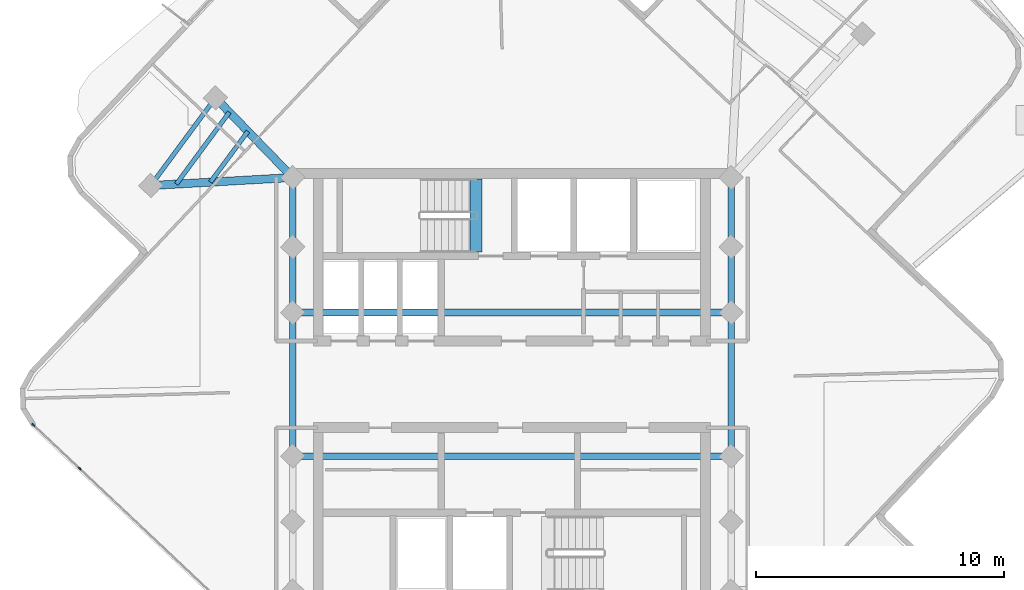
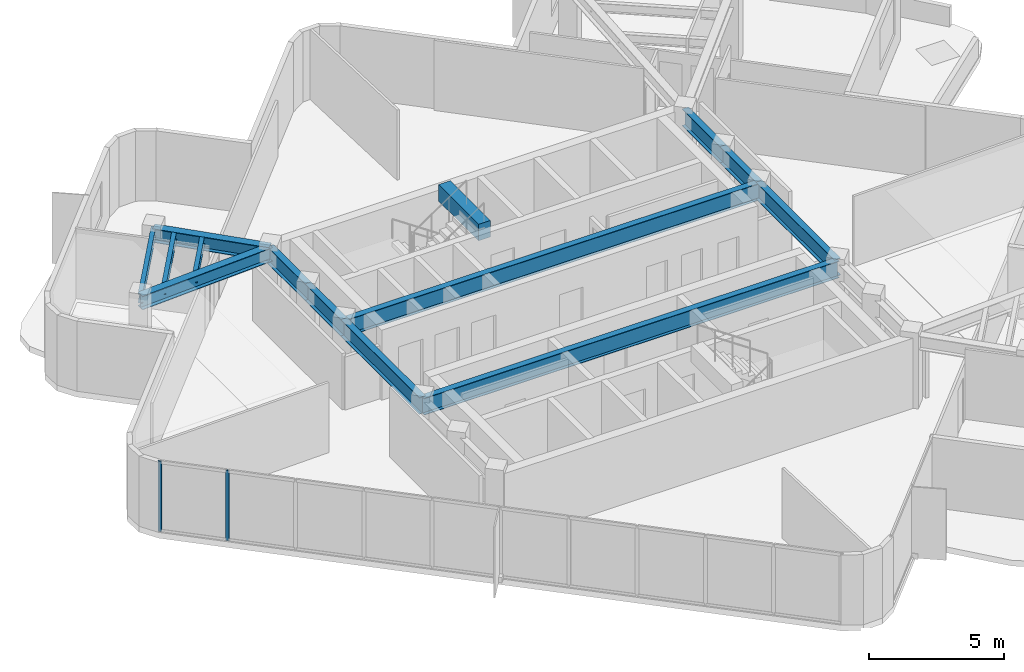
# One storey, part 4 of 10: 14 beams, 2 members, 1 element without a shape of its own.
"""IFC4 building model written with IfcOpenShell, lengths in metres."""

from ifc_helpers import new_model, si_unit, direction, frame, origin, origin_2d, place, context, subcontext, project, spatial, rectangle, i_section, extrude, material, layer, layer_set, material_profile, profile_set, type_object, element, aggregate, save


model = new_model("IFC4")

# Units and contexts
model_context = context("Model", 3, precision=1e-05, world=origin(), true_north=direction((0.0, 1.0)))
body_context = subcontext(model_context, "Body", "Model", "MODEL_VIEW")
ifc_project = project(units=[si_unit("LENGTHUNIT", "METRE"), si_unit("AREAUNIT", "SQUARE_METRE"), si_unit("VOLUMEUNIT", "CUBIC_METRE"), si_unit("PLANEANGLEUNIT", "RADIAN"), si_unit("MASSUNIT", "GRAM", prefix="KILO")], contexts=[model_context])

# Site, building, storey
site_placement = place(None, origin())
site = spatial("IfcSite", under=ifc_project, at=site_placement, CompositionType="ELEMENT")
building_placement = place(site_placement, origin())
building = spatial("IfcBuilding", under=site, at=building_placement, Name="Solmarez Civic Tower", CompositionType="ELEMENT")
storey_placement = place(building_placement, frame((0.0, 0.0, 244.080078125)))
storey = spatial("IfcBuildingStorey", under=building, at=storey_placement, Name="L65", CompositionType="ELEMENT", Elevation=244.080078125)

# Beams
ifc_material_1 = material(Name="Steel S355", Category="steel")
ifc_material_profile_1 = material_profile(ifc_material_1, i_section(OverallWidth=0.178955078125, OverallDepth=0.409912109375, WebThickness=0.0087890625, FlangeThickness=0.014404296875, at=origin_2d()), Name="W16X45")
ifc_profile_set_1 = profile_set([ifc_material_profile_1], Name="Steel S355")
beam_type_1 = type_object("IfcBeamType", Name="BM-JS-W16X45", PredefinedType="JOIST", material=ifc_profile_set_1)
beam_1_placement = place(storey_placement, frame((-11.970947265625, 11.56591796875, 2.954833984375), z_axis=(-0.593730834471, -0.804663716219, 0.0), x_axis=(0.804663716219, -0.593730834471, 0.0)))
element("IfcBeam", 1, at=beam_1_placement, inside=storey, type_object=beam_type_1, Name="L65 Secondary Floor Joist BM-L65-NA-T1", PredefinedType="JOIST", context=body_context, shape_type="SweptSolid", body=[
    extrude(i_section(OverallWidth=0.178955078125, OverallDepth=0.409912109375, WebThickness=0.0087890625, FlangeThickness=0.014404296875, at=origin_2d()), origin(), (0.0, 0.0, 1.0), 4.3994140625),
])
beam_2_placement = place(storey_placement, frame((-10.659912109375, 10.215087890625, 2.954833984375), z_axis=(-0.593812477683, -0.804603468392, 0.0), x_axis=(0.804603468392, -0.593812477683, 0.0)))
element("IfcBeam", 2, at=beam_2_placement, inside=storey, type_object=beam_type_1, Name="L65 Secondary Floor Joist JS-L65-NA-M11", PredefinedType="JOIST", context=body_context, shape_type="SweptSolid", body=[
    extrude(i_section(OverallWidth=0.178955078125, OverallDepth=0.409912109375, WebThickness=0.0087890625, FlangeThickness=0.014404296875, at=origin_2d()), origin(), (0.0, 0.0, 1.0), 2.551513671875),
])
beam_3_placement = place(storey_placement, frame((-11.408935546875, 10.987060546875, 2.954833984375), z_axis=(-0.593734433343, -0.804661060735, 0.0), x_axis=(0.804661060735, -0.593734433343, 0.0)))
element("IfcBeam", 3, at=beam_3_placement, inside=storey, type_object=beam_type_1, Name="L65 Secondary Floor Joist JS-L65-NA-M12", PredefinedType="JOIST", context=body_context, shape_type="SweptSolid", body=[
    extrude(i_section(OverallWidth=0.178955078125, OverallDepth=0.409912109375, WebThickness=0.0087890625, FlangeThickness=0.014404296875, at=origin_2d()), origin(), (0.0, 0.0, 1.0), 3.60791015625),
])
ifc_material_2 = material(Name="Concrete C50/60", Category="concrete")
ifc_material_profile_2 = material_profile(ifc_material_2, rectangle(XDim=0.5, YDim=0.75, at=origin_2d()), Name="RC500X750")
ifc_profile_set_2 = profile_set([ifc_material_profile_2], Name="Concrete C50/60")
beam_type_2 = type_object("IfcBeamType", Name="BM-PR-RC500X750", PredefinedType="BEAM", material=ifc_profile_set_2)
beam_4_placement = place(storey_placement, frame((-1.449951171875, 5.340087890625, 3.052978515625), z_axis=(0.0, 1.0, 0.0), x_axis=(-1.0, 0.0, 0.0)))
element("IfcBeam", 4, at=beam_4_placement, inside=storey, type_object=beam_type_2, Name="L65 North Stair Threshold Beam", PredefinedType="BEAM", context=body_context, shape_type="SweptSolid", body=[
    extrude(rectangle(XDim=0.5, YDim=0.75, at=origin_2d()), origin(), (0.0, 0.0, 1.0), 2.9599609375),
])
ifc_material_profile_3 = material_profile(ifc_material_1, i_section(OverallWidth=0.327880859375, OverallDepth=0.6220703125, WebThickness=0.015380859375, FlangeThickness=0.0244140625, at=origin_2d()), Name="W24X131")
ifc_profile_set_3 = profile_set([ifc_material_profile_3], Name="Steel S355")
beam_type_3 = type_object("IfcBeamType", Name="BM-PR-W24X131", PredefinedType="BEAM", material=ifc_profile_set_3)
beam_5_placement = place(storey_placement, frame((-8.85009765625, 8.35009765625, 2.848876953125), z_axis=(-0.696430820305, 0.717623935309, 0.0), x_axis=(-0.717623935309, -0.696430820305, 0.0)))
element("IfcBeam", 5, at=beam_5_placement, inside=storey, type_object=beam_type_3, Name="L65 Primary Floor Beam BM-L65-NA-R1A", PredefinedType="BEAM", context=body_context, shape_type="SweptSolid", body=[
    extrude(i_section(OverallWidth=0.327880859375, OverallDepth=0.6220703125, WebThickness=0.015380859375, FlangeThickness=0.0244140625, at=origin_2d()), origin(), (0.0, 0.0, 1.0), 4.481201171875),
])
beam_6_placement = place(storey_placement, frame((-8.85009765625, 8.35009765625, 2.848876953125), z_axis=(-0.998404650863, -0.056463732917, 0.0), x_axis=(0.056463732917, -0.998404650863, 0.0)))
element("IfcBeam", 6, at=beam_6_placement, inside=storey, type_object=beam_type_3, Name="L65 Primary Floor Beam BM-L65-NA-R1B", PredefinedType="BEAM", context=body_context, shape_type="SweptSolid", body=[
    extrude(i_section(OverallWidth=0.327880859375, OverallDepth=0.6220703125, WebThickness=0.015380859375, FlangeThickness=0.0244140625, at=origin_2d()), origin(), (0.0, 0.0, 1.0), 5.7421875),
])
ifc_material_profile_4 = material_profile(ifc_material_1, i_section(OverallWidth=0.26708984375, OverallDepth=0.761962890625, WebThickness=0.014404296875, FlangeThickness=0.021484375, at=origin_2d()), Name="W30X116")
ifc_profile_set_4 = profile_set([ifc_material_profile_4], Name="Steel S355")
beam_type_4 = type_object("IfcBeamType", Name="BM-PR-W30X116", PredefinedType="BEAM", material=ifc_profile_set_4)
beam_7_placement = place(storey_placement, frame((-8.85009765625, -2.89990234375, 2.77880859375), z_axis=(0.0, 1.0, 0.0), x_axis=(-1.0, 0.0, 0.0)))
element("IfcBeam", 7, at=beam_7_placement, inside=storey, type_object=beam_type_4, Name="L65 Primary Floor Beam BM-L65-HC2-HC3", PredefinedType="BEAM", context=body_context, shape_type="SweptSolid", body=[
    extrude(i_section(OverallWidth=0.26708984375, OverallDepth=0.761962890625, WebThickness=0.014404296875, FlangeThickness=0.021484375, at=origin_2d()), origin(), (0.0, 0.0, 1.0), 5.7998046875),
])
beam_8_placement = place(storey_placement, frame((-8.85009765625, 2.89990234375, 2.77880859375), z_axis=(0.0, 1.0, 0.0), x_axis=(-1.0, 0.0, 0.0)))
element("IfcBeam", 8, at=beam_8_placement, inside=storey, type_object=beam_type_4, Name="L65 Primary Floor Beam BM-L65-HC3-HC4", PredefinedType="BEAM", context=body_context, shape_type="SweptSolid", body=[
    extrude(i_section(OverallWidth=0.26708984375, OverallDepth=0.761962890625, WebThickness=0.014404296875, FlangeThickness=0.021484375, at=origin_2d()), origin(), (0.0, 0.0, 1.0), 2.650146484375),
])
beam_9_placement = place(storey_placement, frame((-8.85009765625, 5.550048828125, 2.77880859375), z_axis=(0.0, 1.0, 0.0), x_axis=(-1.0, 0.0, 0.0)))
element("IfcBeam", 9, at=beam_9_placement, inside=storey, type_object=beam_type_4, Name="L65 Primary Floor Beam BM-L65-HC4-HC9", PredefinedType="BEAM", context=body_context, shape_type="SweptSolid", body=[
    extrude(i_section(OverallWidth=0.26708984375, OverallDepth=0.761962890625, WebThickness=0.014404296875, FlangeThickness=0.021484375, at=origin_2d()), origin(), (0.0, 0.0, 1.0), 2.800048828125),
])
beam_10_placement = place(storey_placement, frame((8.85009765625, -2.89990234375, 2.77880859375), z_axis=(0.0, 1.0, 0.0), x_axis=(-1.0, 0.0, 0.0)))
element("IfcBeam", 10, at=beam_10_placement, inside=storey, type_object=beam_type_4, Name="L65 Primary Floor Beam BM-L65-HC6-HC7", PredefinedType="BEAM", context=body_context, shape_type="SweptSolid", body=[
    extrude(i_section(OverallWidth=0.26708984375, OverallDepth=0.761962890625, WebThickness=0.014404296875, FlangeThickness=0.021484375, at=origin_2d()), origin(), (0.0, 0.0, 1.0), 5.7998046875),
])
beam_11_placement = place(storey_placement, frame((8.85009765625, 2.89990234375, 2.77880859375), z_axis=(0.0, 1.0, 0.0), x_axis=(-1.0, 0.0, 0.0)))
element("IfcBeam", 11, at=beam_11_placement, inside=storey, type_object=beam_type_4, Name="L65 Primary Floor Beam BM-L65-HC7-HC8", PredefinedType="BEAM", context=body_context, shape_type="SweptSolid", body=[
    extrude(i_section(OverallWidth=0.26708984375, OverallDepth=0.761962890625, WebThickness=0.014404296875, FlangeThickness=0.021484375, at=origin_2d()), origin(), (0.0, 0.0, 1.0), 2.650146484375),
])
beam_12_placement = place(storey_placement, frame((8.85009765625, 5.550048828125, 2.77880859375), z_axis=(0.0, 1.0, 0.0), x_axis=(-1.0, 0.0, 0.0)))
element("IfcBeam", 12, at=beam_12_placement, inside=storey, type_object=beam_type_4, Name="L65 Primary Floor Beam BM-L65-HC8-HC11", PredefinedType="BEAM", context=body_context, shape_type="SweptSolid", body=[
    extrude(i_section(OverallWidth=0.26708984375, OverallDepth=0.761962890625, WebThickness=0.014404296875, FlangeThickness=0.021484375, at=origin_2d()), origin(), (0.0, 0.0, 1.0), 2.800048828125),
])
for number, where, z_axis, x_axis, name in (
    (13, (-8.85009765625, -2.89990234375, 2.77880859375), (1.0, 0.0, 0.0), (0.0, 1.0, 0.0), "L65 Primary Floor Beam BM-L65-HC2-HC6"),
    (14, (-8.85009765625, 2.89990234375, 2.77880859375), (1.0, 0.0, 0.0), (0.0, 1.0, 0.0), "L65 Primary Floor Beam BM-L65-HC3-HC7"),
):
    element("IfcBeam", number, at=place(storey_placement, frame(where, z_axis=z_axis, x_axis=x_axis)), inside=storey, type_object=beam_type_4, Name=name, PredefinedType="BEAM", context=body_context, shape_type="SweptSolid", body=[
        extrude(i_section(OverallWidth=0.26708984375, OverallDepth=0.761962890625, WebThickness=0.014404296875, FlangeThickness=0.021484375, at=origin_2d()), origin(), (0.0, 0.0, 1.0), 17.7001953125),
    ])

# Curtain wall, members
ifc_material_3 = material(Name="Bronze Anodised Aluminium EN AW-6063 T6", Category="aluminium")
ifc_layer = layer(ifc_material_3, 0.1650390625)
ifc_layer_set = layer_set([ifc_layer], Name="Bronze Anodised Aluminium EN AW-6063 T6")
curtain_wall_type = type_object("IfcCurtainWallType", Name="CW-SYS-4", PredefinedType="NOTDEFINED", material=ifc_layer_set)
curtain_wall_placement = place(storey_placement, origin())
curtain_wall = element("IfcCurtainWall", 15, at=curtain_wall_placement, inside=storey, type_object=curtain_wall_type, Name="L65 Stick-Built Curtain Wall 2", PredefinedType="NOTDEFINED")
ifc_material_profile_5 = material_profile(ifc_material_3, rectangle(XDim=0.06005859375, YDim=0.14990234375, at=origin_2d()), Name="CWM-60X150")
ifc_profile_set_5 = profile_set([ifc_material_profile_5], Name="Bronze Anodised Aluminium EN AW-6063 T6")
member_type = type_object("IfcMemberType", Name="CWM-TYPE-4", PredefinedType="MULLION", material=ifc_profile_set_5)
member_1_placement = place(storey_placement, frame((-17.4580078125, -3.3984375, 0.0), z_axis=(0.0, 0.0, 1.0), x_axis=(-0.686068296306, -0.727537141873, 0.0)))
member_1 = element("IfcMember", 16, at=member_1_placement, type_object=member_type, Name="CWS4 mullion 10", PredefinedType="MULLION", context=body_context, shape_type="SweptSolid", body=[
    extrude(rectangle(XDim=0.06005859375, YDim=0.14990234375, at=origin_2d()), origin(), (0.0, 0.0, 1.0), 3.159912109375),
])
member_2_placement = place(storey_placement, frame((-19.322265625, -1.640625, 0.0), z_axis=(0.0, 0.0, 1.0), x_axis=(-0.686068296306, -0.727537141873, 0.0)))
member_2 = element("IfcMember", 17, at=member_2_placement, type_object=member_type, Name="CWS4 mullion 11", PredefinedType="MULLION", context=body_context, shape_type="SweptSolid", body=[
    extrude(rectangle(XDim=0.06005859375, YDim=0.14990234375, at=origin_2d()), origin(), (0.0, 0.0, 1.0), 3.159912109375),
])
aggregate(curtain_wall, [member_1, member_2])

save(model, "model.ifc")
